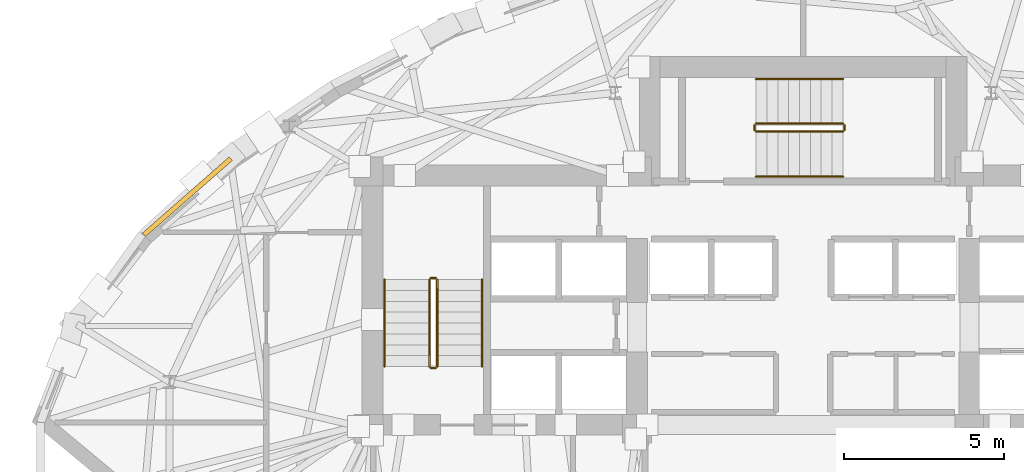
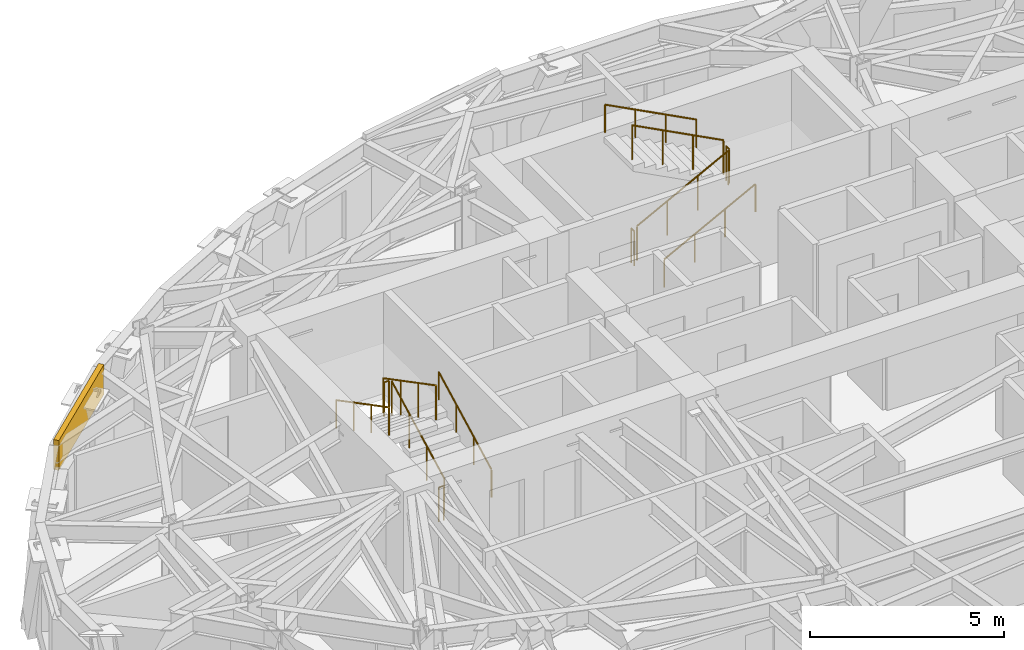
# One storey, part 13 of 15: 12 railings, 1 covering.
"""IFC4 building model written with IfcOpenShell, lengths in metres."""

from ifc_helpers import new_model, si_unit, direction, frame, origin, origin_2d, place, context, subcontext, project, spatial, rectangle, circle, extrude, material, layer, layer_set, type_object, element, save


model = new_model("IFC4")

# Units and contexts
model_context = context("Model", 3, precision=1e-05, world=origin(), true_north=direction((0.0, 1.0)))
body_context = subcontext(model_context, "Body", "Model", "MODEL_VIEW")
ifc_project = project(units=[si_unit("LENGTHUNIT", "METRE"), si_unit("AREAUNIT", "SQUARE_METRE"), si_unit("VOLUMEUNIT", "CUBIC_METRE"), si_unit("PLANEANGLEUNIT", "RADIAN"), si_unit("MASSUNIT", "GRAM", prefix="KILO")], contexts=[model_context])

# Site, building, storey
site_placement = place(None, origin())
site = spatial("IfcSite", under=ifc_project, at=site_placement, CompositionType="ELEMENT")
building_placement = place(site_placement, origin())
building = spatial("IfcBuilding", under=site, at=building_placement, Name="Keldmark Tower", CompositionType="ELEMENT")
storey_placement = place(building_placement, frame((0.0, 0.0, 195.0)))
storey = spatial("IfcBuildingStorey", under=building, at=storey_placement, Name="L54", CompositionType="ELEMENT", Elevation=195.0)

# Covering
ifc_material_1 = material(Name="Honed Kasota Buff Dolomitic Limestone", Category="masonry")
ifc_layer = layer(ifc_material_1, 0.074951171875)
ifc_layer_set = layer_set([ifc_layer], Name="Honed Kasota Buff Dolomitic Limestone")
covering_type = type_object("IfcCoveringType", Name="Kasota Buff Limestone Spandrel Cladding Band", PredefinedType="CLADDING", material=ifc_layer_set)
covering_placement = place(storey_placement, frame((-19.266357421875, 8.6650390625, 2.239013671875), z_axis=(0.0, 0.0, 1.0), x_axis=(-0.751908849889, -0.659267079004, 0.0)))
element("IfcCovering", 1, at=covering_placement, inside=storey, type_object=covering_type, Name="L54 Kasota Limestone Spandrel Band 13", PredefinedType="CLADDING", context=body_context, shape_type="SweptSolid", body=[
    extrude(rectangle(XDim=3.614501953125, YDim=0.14990234375, at=origin_2d()), origin(), (0.0, 0.0, 1.0), 0.94091796875),
])

# Railings
ifc_material_2 = material(Name="Painted Steel ASTM A500 Grade B", Category="steel")
railing_type_1 = type_object("IfcRailingType", Name="Painted Steel Stair Well Guard 1100 mm", PredefinedType="GUARDRAIL", material=ifc_material_2)
railing_1_placement = place(storey_placement, frame((-11.449951171875, 3.35009765625, 0.177734375)))
element("IfcRailing", 2, at=railing_1_placement, inside=storey, type_object=railing_type_1, Name="L54 ST1 stair guard 1", PredefinedType="GUARDRAIL", context=body_context, shape_type="SweptSolid", body=[
    extrude(circle(Radius=0.02392578125, at=origin_2d()), frame((0.0, 0.0, 1.076171875), z_axis=(0.0, 0.886150474775, 0.463397600399), x_axis=(-1.0, 0.0, 0.0)), (0.0, 0.0, 1.0), 3.0693359375),
    extrude(circle(Radius=0.02099609375, at=origin_2d()), origin(), (0.0, 0.0, 1.0), 1.052001953125),
    extrude(circle(Radius=0.02099609375, at=origin_2d()), frame((0.0, 0.90673828125, 0.47412109375)), (0.0, 0.0, 1.0), 1.052001953125),
    extrude(circle(Radius=0.02099609375, at=origin_2d()), frame((0.0, 1.813232421875, 0.9482421875)), (0.0, 0.0, 1.0), 1.052001953125),
    extrude(circle(Radius=0.02099609375, at=origin_2d()), frame((0.0, 2.719970703125, 1.42236328125)), (0.0, 0.0, 1.0), 1.052001953125),
])
railing_2_placement = place(storey_placement, frame((-11.5, 6.1201171875, 1.60009765625)))
element("IfcRailing", 3, at=railing_2_placement, inside=storey, type_object=railing_type_1, Name="L54 ST1 stair guard 2", PredefinedType="GUARDRAIL", context=body_context, shape_type="SweptSolid", body=[
    extrude(circle(Radius=0.02392578125, at=origin_2d()), frame((0.0, 0.0, 1.076171875), z_axis=(-1.0, 0.0, 0.0), x_axis=(0.0, -1.0, 0.0)), (0.0, 0.0, 1.0), 0.14990234375),
    extrude(circle(Radius=0.02099609375, at=origin_2d()), origin(), (0.0, 0.0, 1.0), 1.052001953125),
    extrude(circle(Radius=0.02099609375, at=origin_2d()), frame((-0.14990234375, 0.0, 0.0)), (0.0, 0.0, 1.0), 1.052001953125),
])
railing_3_placement = place(storey_placement, frame((-11.699951171875, 6.070068359375, 1.77783203125)))
element("IfcRailing", 4, at=railing_3_placement, inside=storey, type_object=railing_type_1, Name="L54 ST1 stair guard 3", PredefinedType="GUARDRAIL", context=body_context, shape_type="SweptSolid", body=[
    extrude(circle(Radius=0.02392578125, at=origin_2d()), frame((0.0, 0.0, 1.076171875), z_axis=(0.0, -0.886183135912, 0.463335137482), x_axis=(1.0, 0.0, 0.0)), (0.0, 0.0, 1.0), 3.0693359375),
    extrude(circle(Radius=0.02099609375, at=origin_2d()), origin(), (0.0, 0.0, 1.0), 1.052001953125),
    extrude(circle(Radius=0.02099609375, at=origin_2d()), frame((0.0, -0.90673828125, 0.47412109375)), (0.0, 0.0, 1.0), 1.052001953125),
    extrude(circle(Radius=0.02099609375, at=origin_2d()), frame((0.0, -1.813232421875, 0.947998046875)), (0.0, 0.0, 1.0), 1.052001953125),
    extrude(circle(Radius=0.02099609375, at=origin_2d()), frame((0.0, -2.719970703125, 1.422119140625)), (0.0, 0.0, 1.0), 1.052001953125),
])
railing_4_placement = place(storey_placement, frame((-11.5, 3.300048828125, 0.0)))
element("IfcRailing", 5, at=railing_4_placement, inside=storey, type_object=railing_type_1, Name="L54 ST1 stair guard 4", PredefinedType="GUARDRAIL", context=body_context, shape_type="SweptSolid", body=[
    extrude(circle(Radius=0.02392578125, at=origin_2d()), frame((0.0, 0.0, 1.076171875), z_axis=(-1.0, 0.0, 0.0), x_axis=(0.0, -1.0, 0.0)), (0.0, 0.0, 1.0), 0.14990234375),
    extrude(circle(Radius=0.02099609375, at=origin_2d()), origin(), (0.0, 0.0, 1.0), 1.052001953125),
    extrude(circle(Radius=0.02099609375, at=origin_2d()), frame((-0.14990234375, 0.0, 0.0)), (0.0, 0.0, 1.0), 1.052001953125),
])
railing_5_placement = place(storey_placement, frame((-1.47509765625, 10.699951171875, 0.177734375)))
element("IfcRailing", 6, at=railing_5_placement, inside=storey, type_object=railing_type_1, Name="L54 ST3 stair guard 1", PredefinedType="GUARDRAIL", context=body_context, shape_type="SweptSolid", body=[
    extrude(circle(Radius=0.02392578125, at=origin_2d()), frame((0.0, 0.0, 1.076171875), z_axis=(0.886167553088, 0.0, 0.463364940252), x_axis=(0.0, 1.0, 0.0)), (0.0, 0.0, 1.0), 3.069580078125),
    extrude(circle(Radius=0.02099609375, at=origin_2d()), origin(), (0.0, 0.0, 1.0), 1.052001953125),
    extrude(circle(Radius=0.02099609375, at=origin_2d()), frame((0.90673828125, 0.0, 0.47412109375)), (0.0, 0.0, 1.0), 1.052001953125),
    extrude(circle(Radius=0.02099609375, at=origin_2d()), frame((1.8134765625, 0.0, 0.9482421875)), (0.0, 0.0, 1.0), 1.052001953125),
    extrude(circle(Radius=0.02099609375, at=origin_2d()), frame((2.72021484375, 0.0, 1.42236328125)), (0.0, 0.0, 1.0), 1.052001953125),
])
railing_6_placement = place(storey_placement, frame((1.294921875, 10.75, 1.60009765625)))
element("IfcRailing", 7, at=railing_6_placement, inside=storey, type_object=railing_type_1, Name="L54 ST3 stair guard 2", PredefinedType="GUARDRAIL", context=body_context, shape_type="SweptSolid", body=[
    extrude(circle(Radius=0.02392578125, at=origin_2d()), frame((0.0, 0.0, 1.076171875), z_axis=(0.0, 1.0, 0.0), x_axis=(-1.0, 0.0, 0.0)), (0.0, 0.0, 1.0), 0.14990234375),
    extrude(circle(Radius=0.02099609375, at=origin_2d()), origin(), (0.0, 0.0, 1.0), 1.052001953125),
    extrude(circle(Radius=0.02099609375, at=origin_2d()), frame((0.0, 0.14990234375, 0.0)), (0.0, 0.0, 1.0), 1.052001953125),
])
railing_7_placement = place(storey_placement, frame((1.2451171875, 10.949951171875, 1.77783203125)))
element("IfcRailing", 8, at=railing_7_placement, inside=storey, type_object=railing_type_1, Name="L54 ST3 stair guard 3", PredefinedType="GUARDRAIL", context=body_context, shape_type="SweptSolid", body=[
    extrude(circle(Radius=0.02392578125, at=origin_2d()), frame((0.0, 0.0, 1.076171875), z_axis=(-0.886200210249, 0.0, 0.463302479331), x_axis=(0.0, -1.0, 0.0)), (0.0, 0.0, 1.0), 3.069580078125),
    extrude(circle(Radius=0.02099609375, at=origin_2d()), origin(), (0.0, 0.0, 1.0), 1.052001953125),
    extrude(circle(Radius=0.02099609375, at=origin_2d()), frame((-0.90673828125, 0.0, 0.47412109375)), (0.0, 0.0, 1.0), 1.052001953125),
    extrude(circle(Radius=0.02099609375, at=origin_2d()), frame((-1.8134765625, 0.0, 0.947998046875)), (0.0, 0.0, 1.0), 1.052001953125),
    extrude(circle(Radius=0.02099609375, at=origin_2d()), frame((-2.72021484375, 0.0, 1.422119140625)), (0.0, 0.0, 1.0), 1.052001953125),
])
railing_8_placement = place(storey_placement, frame((-1.52490234375, 10.75, 0.0)))
element("IfcRailing", 9, at=railing_8_placement, inside=storey, type_object=railing_type_1, Name="L54 ST3 stair guard 4", PredefinedType="GUARDRAIL", context=body_context, shape_type="SweptSolid", body=[
    extrude(circle(Radius=0.02392578125, at=origin_2d()), frame((0.0, 0.0, 1.076171875), z_axis=(0.0, 1.0, 0.0), x_axis=(-1.0, 0.0, 0.0)), (0.0, 0.0, 1.0), 0.14990234375),
    extrude(circle(Radius=0.02099609375, at=origin_2d()), origin(), (0.0, 0.0, 1.0), 1.052001953125),
    extrude(circle(Radius=0.02099609375, at=origin_2d()), frame((0.0, 0.14990234375, 0.0)), (0.0, 0.0, 1.0), 1.052001953125),
])
ifc_material_3 = material(Name="Stainless Steel AISI 316L", Category="steel")
railing_type_2 = type_object("IfcRailingType", Name="Stainless Steel Stair Handrail 900 mm", PredefinedType="HANDRAIL", material=ifc_material_3)
railing_9_placement = place(storey_placement, frame((-10.050048828125, 3.35009765625, 0.177734375)))
element("IfcRailing", 10, at=railing_9_placement, inside=storey, type_object=railing_type_2, Name="L54 ST1 stair handrail 1", PredefinedType="HANDRAIL", context=body_context, shape_type="SweptSolid", body=[
    extrude(circle(Radius=0.02392578125, at=origin_2d()), frame((0.0, 0.0, 0.8759765625), z_axis=(0.0, 0.886150474775, 0.463397600399), x_axis=(-1.0, 0.0, 0.0)), (0.0, 0.0, 1.0), 3.0693359375),
    extrude(circle(Radius=0.02099609375, at=origin_2d()), origin(), (0.0, 0.0, 1.0), 0.851806640625),
    extrude(circle(Radius=0.02099609375, at=origin_2d()), frame((0.0, 0.90673828125, 0.47412109375)), (0.0, 0.0, 1.0), 0.851806640625),
    extrude(circle(Radius=0.02099609375, at=origin_2d()), frame((0.0, 1.813232421875, 0.9482421875)), (0.0, 0.0, 1.0), 0.851806640625),
    extrude(circle(Radius=0.02099609375, at=origin_2d()), frame((0.0, 2.719970703125, 1.42236328125)), (0.0, 0.0, 1.0), 0.851806640625),
])
railing_10_placement = place(storey_placement, frame((-13.10009765625, 6.070068359375, 1.77783203125)))
element("IfcRailing", 11, at=railing_10_placement, inside=storey, type_object=railing_type_2, Name="L54 ST1 stair handrail 2", PredefinedType="HANDRAIL", context=body_context, shape_type="SweptSolid", body=[
    extrude(circle(Radius=0.02392578125, at=origin_2d()), frame((0.0, 0.0, 0.8759765625), z_axis=(0.0, -0.886183135912, 0.463335137482), x_axis=(1.0, 0.0, 0.0)), (0.0, 0.0, 1.0), 3.0693359375),
    extrude(circle(Radius=0.02099609375, at=origin_2d()), origin(), (0.0, 0.0, 1.0), 0.851806640625),
    extrude(circle(Radius=0.02099609375, at=origin_2d()), frame((0.0, -0.90673828125, 0.47412109375)), (0.0, 0.0, 1.0), 0.851806640625),
    extrude(circle(Radius=0.02099609375, at=origin_2d()), frame((0.0, -1.813232421875, 0.947998046875)), (0.0, 0.0, 1.0), 0.851806640625),
    extrude(circle(Radius=0.02099609375, at=origin_2d()), frame((0.0, -2.719970703125, 1.422119140625)), (0.0, 0.0, 1.0), 0.851806640625),
])
railing_11_placement = place(storey_placement, frame((-1.47509765625, 9.300048828125, 0.177734375)))
element("IfcRailing", 12, at=railing_11_placement, inside=storey, type_object=railing_type_2, Name="L54 ST3 stair handrail 1", PredefinedType="HANDRAIL", context=body_context, shape_type="SweptSolid", body=[
    extrude(circle(Radius=0.02392578125, at=origin_2d()), frame((0.0, 0.0, 0.8759765625), z_axis=(0.886167553088, 0.0, 0.463364940252), x_axis=(0.0, 1.0, 0.0)), (0.0, 0.0, 1.0), 3.069580078125),
    extrude(circle(Radius=0.02099609375, at=origin_2d()), origin(), (0.0, 0.0, 1.0), 0.851806640625),
    extrude(circle(Radius=0.02099609375, at=origin_2d()), frame((0.90673828125, 0.0, 0.47412109375)), (0.0, 0.0, 1.0), 0.851806640625),
    extrude(circle(Radius=0.02099609375, at=origin_2d()), frame((1.8134765625, 0.0, 0.9482421875)), (0.0, 0.0, 1.0), 0.851806640625),
    extrude(circle(Radius=0.02099609375, at=origin_2d()), frame((2.72021484375, 0.0, 1.42236328125)), (0.0, 0.0, 1.0), 0.851806640625),
])
railing_12_placement = place(storey_placement, frame((1.2451171875, 12.35009765625, 1.77783203125)))
element("IfcRailing", 13, at=railing_12_placement, inside=storey, type_object=railing_type_2, Name="L54 ST3 stair handrail 2", PredefinedType="HANDRAIL", context=body_context, shape_type="SweptSolid", body=[
    extrude(circle(Radius=0.02392578125, at=origin_2d()), frame((0.0, 0.0, 0.8759765625), z_axis=(-0.886200210249, 0.0, 0.463302479331), x_axis=(0.0, -1.0, 0.0)), (0.0, 0.0, 1.0), 3.069580078125),
    extrude(circle(Radius=0.02099609375, at=origin_2d()), origin(), (0.0, 0.0, 1.0), 0.851806640625),
    extrude(circle(Radius=0.02099609375, at=origin_2d()), frame((-0.90673828125, 0.0, 0.47412109375)), (0.0, 0.0, 1.0), 0.851806640625),
    extrude(circle(Radius=0.02099609375, at=origin_2d()), frame((-1.8134765625, 0.0, 0.947998046875)), (0.0, 0.0, 1.0), 0.851806640625),
    extrude(circle(Radius=0.02099609375, at=origin_2d()), frame((-2.72021484375, 0.0, 1.422119140625)), (0.0, 0.0, 1.0), 0.851806640625),
])

save(model, "model.ifc")
